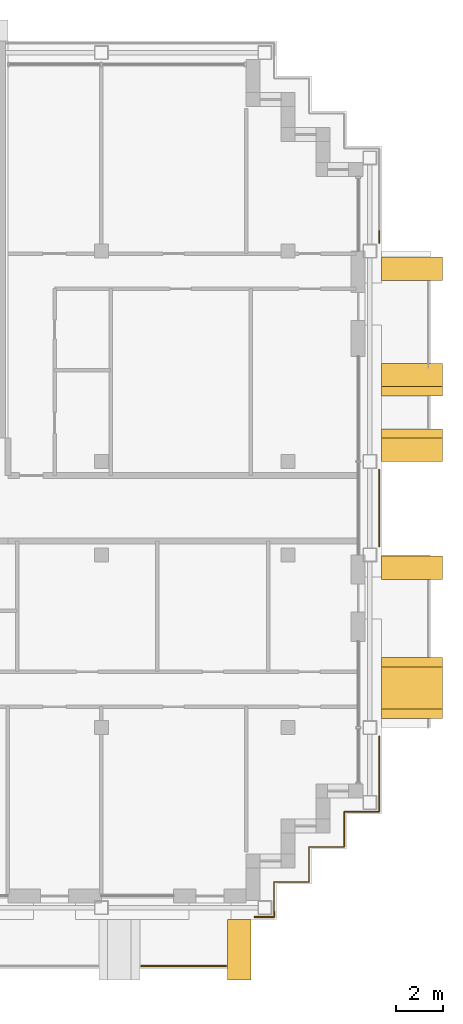
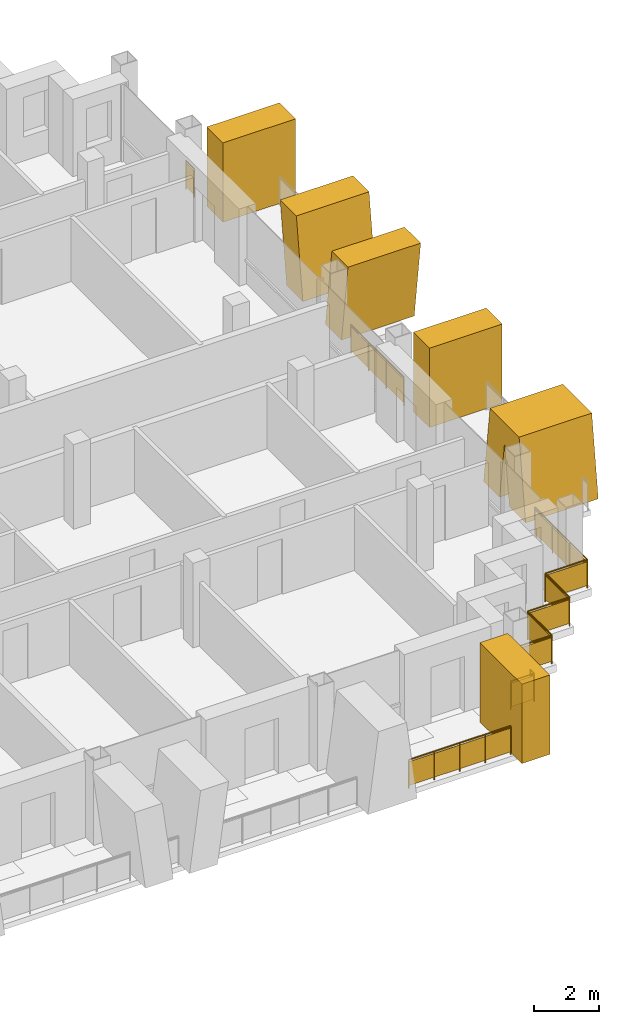
# One storey, part 14 of 16: 6 shading devices, 5 railings.
"""IFC4 building model written with IfcOpenShell, lengths in metres."""

import ifcopenshell
import ifcopenshell.guid

model = None  # the IFC model being written
_history = None  # IfcOwnerHistory: only IFC2X3 demands one
_inside = {}  # id of a spatial element -> (the spatial element, [elements in it])
_under = {}  # id of a project, library or spatial element -> (it, [spatial elements below it])
_declared = {}  # id of a project -> (the project, [libraries it declares])
_typed = {}  # id of a type object -> (the type object, [elements of that type])
_made_of = {}  # id of a material, layer set ... -> (it, [elements and type objects made of it])


def new_model(schema):
    """Start an empty IFC model of exactly this schema.

    Asked for "IFC4X3", IfcOpenShell would pick the latest addendum, in which some entities
    have other attributes; the version numbers below select the first issue.
    IFC2X3 requires an IfcOwnerHistory on every rooted entity: one is made here for all.
    """
    global model, _history
    if schema == "IFC4X3":
        model = ifcopenshell.file(schema_version=(4, 3, 0, 0))
    else:
        model = ifcopenshell.file(schema=schema)
    _inside.clear()
    _under.clear()
    _declared.clear()
    _typed.clear()
    _made_of.clear()
    _history = None
    if model.schema == "IFC2X3":
        org = make("IfcOrganization", Name="unknown")
        user = make(
            "IfcPersonAndOrganization",
            ThePerson=make("IfcPerson", FamilyName="unknown"),
            TheOrganization=org,
        )
        app = make(
            "IfcApplication",
            ApplicationDeveloper=org,
            Version="unknown",
            ApplicationFullName="unknown",
            ApplicationIdentifier="unknown",
        )
        _history = make(
            "IfcOwnerHistory",
            OwningUser=user,
            OwningApplication=app,
            ChangeAction="ADDED",
            CreationDate=0,
        )
    return model


def make(cls, **values):
    """One entity of the class cls with the attributes given. An attribute that is None is left unset."""
    return model.create_entity(
        cls, **{name: value for name, value in values.items() if value is not None}
    )


def rooted(cls, **values):
    """An entity with a GlobalId (a new one), such as an element, a storey or a relation."""
    return make(cls, GlobalId=ifcopenshell.guid.new(), OwnerHistory=_history, **values)


def si_unit(unit_type, name, prefix=None):
    """IfcSIUnit, for example si_unit("LENGTHUNIT", "METRE", prefix="MILLI")."""
    return make("IfcSIUnit", UnitType=unit_type, Prefix=prefix, Name=name)


def assignment(units):
    """IfcUnitAssignment: the units of a project."""
    return None if units is None else make("IfcUnitAssignment", Units=units)


def point(xyz):
    """IfcCartesianPoint."""
    return None if xyz is None else make("IfcCartesianPoint", Coordinates=xyz)


def direction(xyz):
    """IfcDirection."""
    return None if xyz is None else make("IfcDirection", DirectionRatios=xyz)


def frame(location, z_axis=None, x_axis=None):
    """IfcAxis2Placement3D, a coordinate frame: its origin and axes. An axis left out is left unset."""
    return make(
        "IfcAxis2Placement3D",
        Location=point(location),
        Axis=direction(z_axis),
        RefDirection=direction(x_axis),
    )


def frame_2d(location, x_axis=None):
    """IfcAxis2Placement2D, a coordinate frame in the plane: its origin and x axis."""
    return make(
        "IfcAxis2Placement2D", Location=point(location), RefDirection=direction(x_axis)
    )


def origin():
    """The frame at (0, 0, 0) with its axes left unset."""
    return frame((0.0, 0.0, 0.0))


def origin_2d():
    """The frame at (0, 0) in the plane with its x axis left unset."""
    return frame_2d((0.0, 0.0))


def place(relative_to, where):
    """IfcLocalPlacement: puts the frame where relative to a parent placement (None: the world)."""
    return make(
        "IfcLocalPlacement", PlacementRelTo=relative_to, RelativePlacement=where
    )


def context(
    kind, dimensions, precision=None, world=None, true_north=None, identifier=None
):
    """IfcGeometricRepresentationContext, for example the 3D "Model" context."""
    return make(
        "IfcGeometricRepresentationContext",
        ContextIdentifier=identifier,
        ContextType=kind,
        CoordinateSpaceDimension=dimensions,
        Precision=precision,
        WorldCoordinateSystem=world,
        TrueNorth=true_north,
    )


def subcontext(parent, identifier, kind, view, scale=None):
    """IfcGeometricRepresentationSubContext, for example "Body" below "Model"."""
    return make(
        "IfcGeometricRepresentationSubContext",
        ContextIdentifier=identifier,
        ContextType=kind,
        ParentContext=parent,
        TargetScale=scale,
        TargetView=view,
    )


def project(units=None, contexts=None):
    """IfcProject with its units and contexts."""
    return rooted(
        "IfcProject",
        Name="project",
        RepresentationContexts=contexts,
        UnitsInContext=assignment(units),
    )


def spatial(cls, under=None, at=None, **own):
    """A site, building, storey or space (cls), placed at a placement, below another one or the project."""
    s = rooted(cls, ObjectPlacement=at, **own)
    if under is not None:
        _under.setdefault(under.id(), (under, []))[1].append(s)
    return s


def polyline(points):
    """IfcPolyline through the points."""
    return make("IfcPolyline", Points=[point(p) for p in points])


def profile(cls, at=None, kind="AREA", **sizes):
    """A parametric profile (cls). Its sizes go by their IFC names, for example OverallWidth=200.0."""
    return make(cls, ProfileType=kind, Position=at, **sizes)


def rectangle(**sizes):
    """IfcRectangleProfileDef."""
    return profile("IfcRectangleProfileDef", **sizes)


def circle(**sizes):
    """IfcCircleProfileDef."""
    return profile("IfcCircleProfileDef", **sizes)


def outline(outer, holes=None, kind="AREA"):
    """IfcArbitraryClosedProfileDef: a profile drawn as a closed curve; with holes, ...WithVoids."""
    if holes is None:
        return make("IfcArbitraryClosedProfileDef", ProfileType=kind, OuterCurve=outer)
    return make(
        "IfcArbitraryProfileDefWithVoids",
        ProfileType=kind,
        OuterCurve=outer,
        InnerCurves=holes,
    )


def extrude(swept, where, along, depth):
    """IfcExtrudedAreaSolid: the profile swept, set in the frame where, extruded along a direction by depth."""
    return make(
        "IfcExtrudedAreaSolid",
        SweptArea=swept,
        Position=where,
        ExtrudedDirection=direction(along),
        Depth=depth,
    )


def shape(context_of_items, identifier, shape_type, items):
    """IfcShapeRepresentation: the items that make up one representation, for example the "Body"."""
    return make(
        "IfcShapeRepresentation",
        ContextOfItems=context_of_items,
        RepresentationIdentifier=identifier,
        RepresentationType=shape_type,
        Items=items,
    )


def material(Name=None, Category=None):
    """IfcMaterial."""
    return make("IfcMaterial", Name=Name, Category=Category)


def layer(
    of_material, thickness, ventilated=None, Name=None, Category=None, Priority=None
):
    """IfcMaterialLayer: one layer of a wall or slab, of a material (None: an air gap)."""
    return make(
        "IfcMaterialLayer",
        Material=of_material,
        LayerThickness=thickness,
        IsVentilated=ventilated,
        Name=Name,
        Category=Category,
        Priority=Priority,
    )


def layer_set(layers, Name=None):
    """IfcMaterialLayerSet."""
    return make("IfcMaterialLayerSet", MaterialLayers=layers, LayerSetName=Name)


def made_of(thing, what):
    """Note that an element or type object is made of a material, layer set ...; save() writes the relation."""
    if what is not None:
        _made_of.setdefault(what.id(), (what, []))[1].append(thing)
    return thing


def type_object(cls, material=None, **own):
    """A type object (cls), such as IfcWallType, which elements share."""
    return made_of(rooted(cls, **own), material)


def element(
    cls,
    number,
    at=None,
    inside=None,
    cuts=None,
    type_object=None,
    material=None,
    context=None,
    identifier="Body",
    shape_type=None,
    held_by="IfcProductDefinitionShape",
    body=None,
    shapes=None,
    **own,
):
    """One element of the class cls, such as IfcWall. Its Tag is "e" and its number.

    at: its placement. inside: the storey or other place that contains it. cuts: it is an
    opening in that element (IfcRelVoidsElement). A single representation is given by context,
    identifier, shape_type and body (its items); several are given by shapes. held_by: the class
    of the entity that holds the representations. save() writes the other relations.
    """
    e = rooted(cls, Tag="e%d" % number, ObjectPlacement=at, **own)
    if body is not None:
        shapes = [shape(context, identifier, shape_type, body)]
    if shapes is not None:
        e.Representation = make(held_by, Representations=shapes)
    if inside is not None:
        _inside.setdefault(inside.id(), (inside, []))[1].append(e)
    if cuts is not None:
        rooted(
            "IfcRelVoidsElement", RelatingBuildingElement=cuts, RelatedOpeningElement=e
        )
    if type_object is not None:
        _typed.setdefault(type_object.id(), (type_object, []))[1].append(e)
    return made_of(e, material)


def aggregate(whole, parts):
    """IfcRelAggregates: a whole, such as a stair, and the parts it consists of."""
    return rooted("IfcRelAggregates", RelatingObject=whole, RelatedObjects=parts)


def save(model, path):
    """Write the relations noted so far, then the file.

    IfcRelAggregates (storeys below a building ...), IfcRelContainedInSpatialStructure (elements
    in a storey), IfcRelDefinesByType, IfcRelAssociatesMaterial and IfcRelDeclares: one each for
    every whole, place, type object, material and project.
    """
    for whole, parts in _under.values():
        aggregate(whole, parts)
    for where, things in _inside.values():
        rooted(
            "IfcRelContainedInSpatialStructure",
            RelatedElements=things,
            RelatingStructure=where,
        )
    for kind, things in _typed.values():
        rooted("IfcRelDefinesByType", RelatedObjects=things, RelatingType=kind)
    for what, things in _made_of.values():
        rooted("IfcRelAssociatesMaterial", RelatedObjects=things, RelatingMaterial=what)
    for by, libraries in _declared.values():
        rooted("IfcRelDeclares", RelatingContext=by, RelatedDefinitions=libraries)
    model.write(path)


model = new_model("IFC4")

# Units and contexts
model_context = context("Model", 3, precision=1e-05, world=origin(), true_north=direction((0.0, 1.0)))
body_context = subcontext(model_context, "Body", "Model", "MODEL_VIEW")
ifc_project = project(units=[si_unit("LENGTHUNIT", "METRE"), si_unit("AREAUNIT", "SQUARE_METRE"), si_unit("VOLUMEUNIT", "CUBIC_METRE"), si_unit("PLANEANGLEUNIT", "RADIAN"), si_unit("MASSUNIT", "GRAM", prefix="KILO")], contexts=[model_context])

# Site, building, storey
site_placement = place(None, origin())
site = spatial("IfcSite", under=ifc_project, at=site_placement, CompositionType="ELEMENT")
building_placement = place(site_placement, origin())
building = spatial("IfcBuilding", under=site, at=building_placement, Name="Vidyagriha Tower", CompositionType="ELEMENT")
storey_placement = place(building_placement, frame((0.0, 0.0, 230.0)))
storey = spatial("IfcBuildingStorey", under=building, at=storey_placement, Name="L60", CompositionType="ELEMENT", Elevation=230.0)

# Railing
ifc_material_1 = material(Name="Steel ASTM A500 Grade C black painted", Category="steel")
railing_type_1 = type_object("IfcRailingType", Name="Balcony guard 1100", PredefinedType="BALUSTRADE", material=ifc_material_1)
railing_1_placement = place(storey_placement, frame((19.706298828125, -19.60009765625, 0.0)))
element("IfcRailing", 1, at=railing_1_placement, inside=storey, type_object=railing_type_1, Name="Balcony guard L60 R23.1-11", PredefinedType="BALUSTRADE", context=body_context, shape_type="SweptSolid", body=[
    extrude(circle(Radius=0.02490234375, at=origin_2d()), frame((0.0, 0.0, 1.0751953125), z_axis=(1.0, 0.0, 0.0), x_axis=(0.0, 1.0, 0.0)), (0.0, 0.0, 1.0), 3.643798828125),
    extrude(circle(Radius=0.02001953125, at=origin_2d()), origin(), (0.0, 0.0, 1.0), 1.050048828125),
    extrude(circle(Radius=0.02001953125, at=origin_2d()), frame((0.910888671875, 0.0, 0.0)), (0.0, 0.0, 1.0), 1.050048828125),
    extrude(circle(Radius=0.02001953125, at=origin_2d()), frame((1.82177734375, 0.0, 0.0)), (0.0, 0.0, 1.0), 1.050048828125),
    extrude(circle(Radius=0.02001953125, at=origin_2d()), frame((2.73291015625, 0.0, 0.0)), (0.0, 0.0, 1.0), 1.050048828125),
    extrude(circle(Radius=0.02001953125, at=origin_2d()), frame((3.643798828125, 0.0, 0.0)), (0.0, 0.0, 1.0), 1.050048828125),
    extrude(rectangle(XDim=0.010009765625, YDim=0.900146484375, at=origin_2d()), frame((0.0, 0.0, 0.550048828125), z_axis=(1.0, 0.0, 0.0), x_axis=(0.0, 1.0, 0.0)), (0.0, 0.0, 1.0), 3.643798828125),
])

# Shading devices
ifc_material_2 = material(Name="Precast concrete C40/50 with buff brick facing", Category="concrete")
ifc_layer_1 = layer(ifc_material_2, 1.0)
ifc_layer_set_1 = layer_set([ifc_layer_1], Name="Precast concrete C40/50 with buff brick facing")
shading_device_type_1 = type_object("IfcShadingDeviceType", Name="Brick-faced blade fin arm leaning 8 degrees", PredefinedType="USERDEFINED", material=ifc_layer_set_1)
shading_device_1_placement = place(storey_placement, frame((31.300048828125, 4.800048828125, 0.0), z_axis=(0.0, 0.0, 1.0), x_axis=(0.0, 1.0, 0.0)))
element("IfcShadingDevice", 2, at=shading_device_1_placement, inside=storey, type_object=shading_device_type_1, Name="Leaning blade fin L60 R30.1380a", ObjectType="BLADE FIN", PredefinedType="USERDEFINED", context=body_context, shape_type="SweptSolid", body=[
    extrude(outline(polyline([(0.0, 0.0), (1.0, 0.0), (1.39990234375, 3.0), (0.39990234375, 3.0), (0.0, 0.0)])), frame((0.0, 1.300048828125, 0.0), z_axis=(0.0, -1.0, 0.0), x_axis=(1.0, 0.0, 0.0)), (0.0, 0.0, 1.0), 2.60009765625),
])
shading_device_2_placement = place(storey_placement, frame((31.300048828125, 2.0, 0.0), z_axis=(0.0, 0.0, 1.0), x_axis=(0.0, 1.0, 0.0)))
element("IfcShadingDevice", 3, at=shading_device_2_placement, inside=storey, type_object=shading_device_type_1, Name="Leaning blade fin L60 R30.1380b", ObjectType="BLADE FIN", PredefinedType="USERDEFINED", context=body_context, shape_type="SweptSolid", body=[
    extrude(outline(polyline([(0.39990234375, 0.0), (1.39990234375, 0.0), (1.0, 3.0), (0.0, 3.0), (0.39990234375, 0.0)])), frame((0.0, 1.300048828125, 0.0), z_axis=(0.0, -1.0, 0.0), x_axis=(1.0, 0.0, 0.0)), (0.0, 0.0, 1.0), 2.60009765625),
])
ifc_material_3 = material(Name="Precast concrete C40/50 with buff brick facing", Category="concrete")
ifc_layer_2 = layer(ifc_material_3, 1.0)
ifc_layer_set_2 = layer_set([ifc_layer_2], Name="Precast concrete C40/50 with buff brick facing")
shading_device_type_2 = type_object("IfcShadingDeviceType", Name="Brick-faced blade fin forking 8 degrees", PredefinedType="USERDEFINED", material=ifc_layer_set_2)
shading_device_3_placement = place(storey_placement, frame((31.300048828125, -9.0, 0.0), z_axis=(0.0, 0.0, 1.0), x_axis=(0.0, 1.0, 0.0)))
element("IfcShadingDevice", 4, at=shading_device_3_placement, inside=storey, type_object=shading_device_type_2, Name="Forked blade fin L60 R30.240a", ObjectType="BLADE FIN", PredefinedType="USERDEFINED", context=body_context, shape_type="SweptSolid", body=[
    extrude(outline(polyline([(1.0, 0.0), (1.300048828125, 2.25), (1.60009765625, 0.0), (2.60009765625, 0.0), (2.199951171875, 3.0), (0.39990234375, 3.0), (0.0, 0.0), (1.0, 0.0)])), frame((0.0, 1.300048828125, 0.0), z_axis=(0.0, -1.0, 0.0), x_axis=(1.0, 0.0, 0.0)), (0.0, 0.0, 1.0), 2.60009765625),
])
ifc_material_4 = material(Name="Precast concrete C40/50 with buff brick facing", Category="concrete")
ifc_layer_3 = layer(ifc_material_4, 1.0)
ifc_layer_set_3 = layer_set([ifc_layer_3], Name="Precast concrete C40/50 with buff brick facing")
shading_device_type_3 = type_object("IfcShadingDeviceType", Name="Brick-faced blade fin stem 1000", PredefinedType="USERDEFINED", material=ifc_layer_set_3)
shading_device_4_placement = place(storey_placement, frame((23.39990234375, -18.89990234375, 0.0)))
element("IfcShadingDevice", 5, at=shading_device_4_placement, inside=storey, type_object=shading_device_type_3, Name="Stem blade fin L60 R23.4840a", ObjectType="BLADE FIN", PredefinedType="USERDEFINED", context=body_context, shape_type="SweptSolid", body=[
    extrude(outline(polyline([(0.0, 0.0), (1.0, 0.0), (1.0, 3.0), (0.0, 3.0), (0.0, 0.0)])), frame((0.0, 1.300048828125, 0.0), z_axis=(0.0, -1.0, 0.0), x_axis=(1.0, 0.0, 0.0)), (0.0, 0.0, 1.0), 2.60009765625),
])
for number, where, z_axis, x_axis, name in (
    (6, (31.300048828125, -3.050048828125, 0.0), (0.0, 0.0, 1.0), (0.0, 1.0, 0.0), "Stem blade fin L60 R30.980a"),
    (7, (31.300048828125, 9.75, 0.0), (0.0, 0.0, 1.0), (0.0, 1.0, 0.0), "Stem blade fin L60 R30.2280a"),
):
    element("IfcShadingDevice", number, at=place(storey_placement, frame(where, z_axis=z_axis, x_axis=x_axis)), inside=storey, type_object=shading_device_type_3, Name=name, ObjectType="BLADE FIN", PredefinedType="USERDEFINED", context=body_context, shape_type="SweptSolid", body=[
        extrude(outline(polyline([(0.0, 0.0), (1.0, 0.0), (1.0, 3.0), (0.0, 3.0), (0.0, 0.0)])), frame((0.0, 1.300048828125, 0.0), z_axis=(0.0, -1.0, 0.0), x_axis=(1.0, 0.0, 0.0)), (0.0, 0.0, 1.0), 2.60009765625),
    ])

# Railings
ifc_material_5 = material(Name="Steel ASTM A500 Grade C black painted", Category="steel")
railing_type_2 = type_object("IfcRailingType", Name="Gallery guard 1100", PredefinedType="GUARDRAIL", material=ifc_material_5)
railing_2_placement = place(storey_placement, frame((29.89990234375, 11.8701171875, 0.0)))
element("IfcRailing", 8, at=railing_2_placement, inside=storey, type_object=railing_type_2, Name="Gallery guard L60 9", PredefinedType="GUARDRAIL", context=body_context, shape_type="SweptSolid", body=[
    extrude(circle(Radius=0.02490234375, at=origin_2d()), frame((0.0, 0.0, 1.0751953125), z_axis=(0.0, -1.0, 0.0), x_axis=(1.0, 0.0, 0.0)), (0.0, 0.0, 1.0), 0.510009765625),
    extrude(circle(Radius=0.02001953125, at=origin_2d()), origin(), (0.0, 0.0, 1.0), 1.050048828125),
    extrude(circle(Radius=0.02001953125, at=origin_2d()), frame((0.0, -0.510009765625, 0.0)), (0.0, 0.0, 1.0), 1.050048828125),
    extrude(rectangle(XDim=0.010009765625, YDim=0.900146484375, at=origin_2d()), frame((0.0, 0.0, 0.550048828125), z_axis=(0.0, -1.0, 0.0), x_axis=(1.0, 0.0, 0.0)), (0.0, 0.0, 1.0), 0.510009765625),
])
railing_3_placement = place(storey_placement, frame((29.89990234375, -9.760009765625, 0.0)))
element("IfcRailing", 9, at=railing_3_placement, inside=storey, type_object=railing_type_2, Name="Gallery guard L60 10", PredefinedType="GUARDRAIL", context=body_context, shape_type="SweptSolid", body=[
    extrude(circle(Radius=0.02490234375, at=origin_2d()), frame((0.0, 0.0, 1.0751953125), z_axis=(0.0, -1.0, 0.0), x_axis=(1.0, 0.0, 0.0)), (0.0, 0.0, 1.0), 3.239990234375),
    extrude(circle(Radius=0.02490234375, at=origin_2d()), frame((0.0, -3.239990234375, 1.0751953125), z_axis=(-1.0, 0.0, 0.0), x_axis=(0.0, -1.0, 0.0)), (0.0, 0.0, 1.0), 1.5),
    extrude(circle(Radius=0.02490234375, at=origin_2d()), frame((-1.5, -3.239990234375, 1.0751953125), z_axis=(0.0, -1.0, 0.0), x_axis=(1.0, 0.0, 0.0)), (0.0, 0.0, 1.0), 1.5),
    extrude(circle(Radius=0.02490234375, at=origin_2d()), frame((-1.5, -4.739990234375, 1.0751953125), z_axis=(-1.0, 0.0, 0.0), x_axis=(0.0, -1.0, 0.0)), (0.0, 0.0, 1.0), 1.5),
    extrude(circle(Radius=0.02490234375, at=origin_2d()), frame((-3.0, -4.739990234375, 1.0751953125), z_axis=(0.0, -1.0, 0.0), x_axis=(1.0, 0.0, 0.0)), (0.0, 0.0, 1.0), 1.5),
    extrude(circle(Radius=0.02490234375, at=origin_2d()), frame((-3.0, -6.239990234375, 1.0751953125), z_axis=(-1.0, 0.0, 0.0), x_axis=(0.0, -1.0, 0.0)), (0.0, 0.0, 1.0), 1.5),
    extrude(circle(Radius=0.02490234375, at=origin_2d()), frame((-4.5, -6.239990234375, 1.0751953125), z_axis=(0.0, -1.0, 0.0), x_axis=(1.0, 0.0, 0.0)), (0.0, 0.0, 1.0), 1.260009765625),
    extrude(circle(Radius=0.02001953125, at=origin_2d()), origin(), (0.0, 0.0, 1.0), 1.050048828125),
    extrude(circle(Radius=0.02001953125, at=origin_2d()), frame((0.0, -1.080078125, 0.0)), (0.0, 0.0, 1.0), 1.050048828125),
    extrude(circle(Radius=0.02001953125, at=origin_2d()), frame((0.0, -2.159912109375, 0.0)), (0.0, 0.0, 1.0), 1.050048828125),
    extrude(circle(Radius=0.02001953125, at=origin_2d()), frame((0.0, -3.239990234375, 0.0)), (0.0, 0.0, 1.0), 1.050048828125),
    extrude(circle(Radius=0.02001953125, at=origin_2d()), frame((-1.5, -3.239990234375, 0.0)), (0.0, 0.0, 1.0), 1.050048828125),
    extrude(circle(Radius=0.02001953125, at=origin_2d()), frame((-1.5, -4.739990234375, 0.0)), (0.0, 0.0, 1.0), 1.050048828125),
    extrude(circle(Radius=0.02001953125, at=origin_2d()), frame((-3.0, -4.739990234375, 0.0)), (0.0, 0.0, 1.0), 1.050048828125),
    extrude(circle(Radius=0.02001953125, at=origin_2d()), frame((-3.0, -6.239990234375, 0.0)), (0.0, 0.0, 1.0), 1.050048828125),
    extrude(circle(Radius=0.02001953125, at=origin_2d()), frame((-4.5, -6.239990234375, 0.0)), (0.0, 0.0, 1.0), 1.050048828125),
    extrude(circle(Radius=0.02001953125, at=origin_2d()), frame((-4.5, -7.5, 0.0)), (0.0, 0.0, 1.0), 1.050048828125),
    extrude(rectangle(XDim=0.010009765625, YDim=0.900146484375, at=origin_2d()), frame((0.0, 0.0, 0.550048828125), z_axis=(0.0, -1.0, 0.0), x_axis=(1.0, 0.0, 0.0)), (0.0, 0.0, 1.0), 3.239990234375),
    extrude(rectangle(XDim=0.010009765625, YDim=0.900146484375, at=origin_2d()), frame((0.0, -3.239990234375, 0.550048828125), z_axis=(-1.0, 0.0, 0.0), x_axis=(0.0, -1.0, 0.0)), (0.0, 0.0, 1.0), 1.5),
    extrude(rectangle(XDim=0.010009765625, YDim=0.900146484375, at=origin_2d()), frame((-1.5, -3.239990234375, 0.550048828125), z_axis=(0.0, -1.0, 0.0), x_axis=(1.0, 0.0, 0.0)), (0.0, 0.0, 1.0), 1.5),
    extrude(rectangle(XDim=0.010009765625, YDim=0.900146484375, at=origin_2d()), frame((-1.5, -4.739990234375, 0.550048828125), z_axis=(-1.0, 0.0, 0.0), x_axis=(0.0, -1.0, 0.0)), (0.0, 0.0, 1.0), 1.5),
    extrude(rectangle(XDim=0.010009765625, YDim=0.900146484375, at=origin_2d()), frame((-3.0, -4.739990234375, 0.550048828125), z_axis=(0.0, -1.0, 0.0), x_axis=(1.0, 0.0, 0.0)), (0.0, 0.0, 1.0), 1.5),
    extrude(rectangle(XDim=0.010009765625, YDim=0.900146484375, at=origin_2d()), frame((-3.0, -6.239990234375, 0.550048828125), z_axis=(-1.0, 0.0, 0.0), x_axis=(0.0, -1.0, 0.0)), (0.0, 0.0, 1.0), 1.5),
    extrude(rectangle(XDim=0.010009765625, YDim=0.900146484375, at=origin_2d()), frame((-4.5, -6.239990234375, 0.550048828125), z_axis=(0.0, -1.0, 0.0), x_axis=(1.0, 0.0, 0.0)), (0.0, 0.0, 1.0), 1.260009765625),
])
railing_4_placement = place(storey_placement, frame((25.39990234375, -17.260009765625, 0.0)))
element("IfcRailing", 10, at=railing_4_placement, inside=storey, type_object=railing_type_2, Name="Gallery guard L60 11", PredefinedType="GUARDRAIL", context=body_context, shape_type="SweptSolid", body=[
    extrude(circle(Radius=0.02490234375, at=origin_2d()), frame((0.0, 0.0, 1.0751953125), z_axis=(0.0, -1.0, 0.0), x_axis=(1.0, 0.0, 0.0)), (0.0, 0.0, 1.0), 0.239990234375),
    extrude(circle(Radius=0.02490234375, at=origin_2d()), frame((0.0, -0.239990234375, 1.0751953125), z_axis=(-1.0, 0.0, 0.0), x_axis=(0.0, -1.0, 0.0)), (0.0, 0.0, 1.0), 0.83984375),
    extrude(circle(Radius=0.02001953125, at=origin_2d()), origin(), (0.0, 0.0, 1.0), 1.050048828125),
    extrude(circle(Radius=0.02001953125, at=origin_2d()), frame((0.0, -0.239990234375, 0.0)), (0.0, 0.0, 1.0), 1.050048828125),
    extrude(circle(Radius=0.02001953125, at=origin_2d()), frame((-0.83984375, -0.239990234375, 0.0)), (0.0, 0.0, 1.0), 1.050048828125),
    extrude(rectangle(XDim=0.010009765625, YDim=0.900146484375, at=origin_2d()), frame((0.0, 0.0, 0.550048828125), z_axis=(0.0, -1.0, 0.0), x_axis=(1.0, 0.0, 0.0)), (0.0, 0.0, 1.0), 0.239990234375),
    extrude(rectangle(XDim=0.010009765625, YDim=0.900146484375, at=origin_2d()), frame((0.0, -0.239990234375, 0.550048828125), z_axis=(-1.0, 0.0, 0.0), x_axis=(0.0, -1.0, 0.0)), (0.0, 0.0, 1.0), 0.83984375),
])
railing_5_placement = place(storey_placement, frame((29.89990234375, 1.639892578125, 0.0)))
element("IfcRailing", 11, at=railing_5_placement, inside=storey, type_object=railing_type_2, Name="Gallery guard L60 12", PredefinedType="GUARDRAIL", context=body_context, shape_type="SweptSolid", body=[
    extrude(circle(Radius=0.02490234375, at=origin_2d()), frame((0.0, 0.0, 1.0751953125), z_axis=(0.0, -1.0, 0.0), x_axis=(1.0, 0.0, 0.0)), (0.0, 0.0, 1.0), 3.27978515625),
    extrude(circle(Radius=0.02001953125, at=origin_2d()), origin(), (0.0, 0.0, 1.0), 1.050048828125),
    extrude(circle(Radius=0.02001953125, at=origin_2d()), frame((0.0, -1.09326171875, 0.0)), (0.0, 0.0, 1.0), 1.050048828125),
    extrude(circle(Radius=0.02001953125, at=origin_2d()), frame((0.0, -2.1865234375, 0.0)), (0.0, 0.0, 1.0), 1.050048828125),
    extrude(circle(Radius=0.02001953125, at=origin_2d()), frame((0.0, -3.27978515625, 0.0)), (0.0, 0.0, 1.0), 1.050048828125),
    extrude(rectangle(XDim=0.010009765625, YDim=0.900146484375, at=origin_2d()), frame((0.0, 0.0, 0.550048828125), z_axis=(0.0, -1.0, 0.0), x_axis=(1.0, 0.0, 0.0)), (0.0, 0.0, 1.0), 3.27978515625),
])

save(model, "model.ifc")
